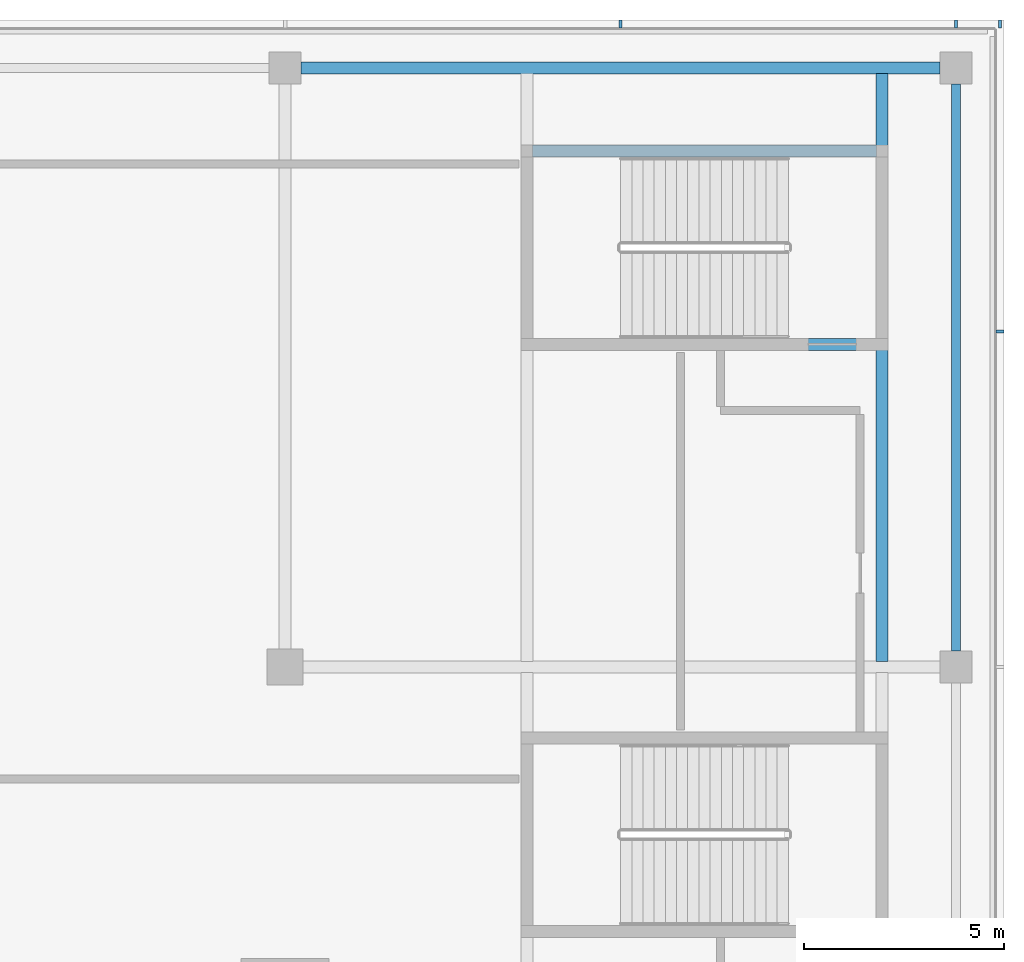
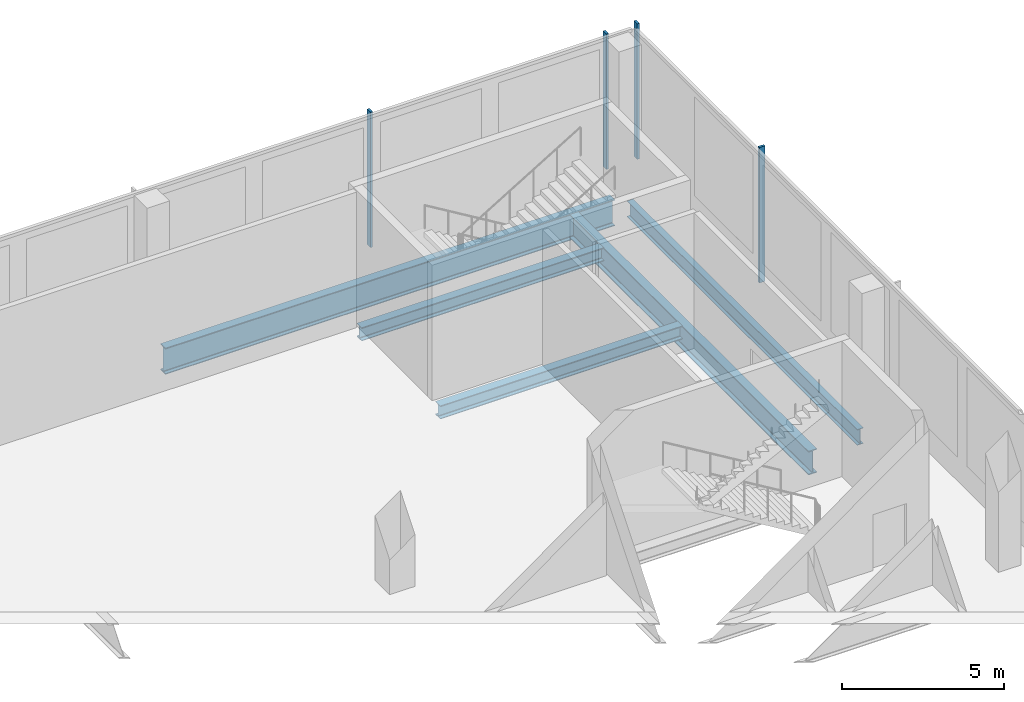
# One storey, part 21 of 39: 5 beams, 4 members, 2 elements without a shape of their own.
"""IFC4 building model written with IfcOpenShell, lengths in metres."""

from ifc_helpers import new_model, si_unit, direction, frame, origin, origin_2d, place, context, subcontext, project, spatial, rectangle, i_section, extrude, material, material_profile, profile_set, type_object, element, aggregate, save


model = new_model("IFC4")

# Units and contexts
model_context = context("Model", 3, precision=1e-05, world=origin(), true_north=direction((0.0, 1.0)))
body_context = subcontext(model_context, "Body", "Model", "MODEL_VIEW")
ifc_project = project(units=[si_unit("LENGTHUNIT", "METRE"), si_unit("AREAUNIT", "SQUARE_METRE"), si_unit("VOLUMEUNIT", "CUBIC_METRE"), si_unit("PLANEANGLEUNIT", "RADIAN"), si_unit("MASSUNIT", "GRAM", prefix="KILO")], contexts=[model_context])

# Site, building, storey
site_placement = place(None, origin())
site = spatial("IfcSite", under=ifc_project, at=site_placement, CompositionType="ELEMENT")
building_placement = place(site_placement, origin())
building = spatial("IfcBuilding", under=site, at=building_placement, Name="Saffron Gate Tower", CompositionType="ELEMENT")
storey_placement = place(building_placement, frame((0.0, 0.0, 9.0)))
storey = spatial("IfcBuildingStorey", under=building, at=storey_placement, Name="L01", CompositionType="ELEMENT", Elevation=9.0)

# Beams
ifc_material_1 = material(Name="Structural steel S355", Category="steel")
ifc_material_profile_1 = material_profile(ifc_material_1, i_section(OverallWidth=0.219970703125, OverallDepth=0.60009765625, WebThickness=0.011962890625, FlangeThickness=0.01904296875, FilletRadius=0.02392578125, at=origin_2d()))
ifc_profile_set_1 = profile_set([ifc_material_profile_1], Name="Structural steel S355")
beam_type_1 = type_object("IfcBeamType", Name="B15 IPE 600", PredefinedType="BEAM", material=ifc_profile_set_1)
beam_1_placement = place(storey_placement, frame((142.199951171875, 74.199951171875, -0.60009765625), z_axis=(0.0, 1.0, 0.0), x_axis=(-1.0, 0.0, 0.0)))
element("IfcBeam", 1, at=beam_1_placement, inside=storey, type_object=beam_type_1, Name="B15 PODIUM EDGE BEAM", PredefinedType="BEAM", context=body_context, shape_type="SweptSolid", body=[
    extrude(i_section(OverallWidth=0.219970703125, OverallDepth=0.60009765625, WebThickness=0.011962890625, FlangeThickness=0.01904296875, FilletRadius=0.02392578125, at=origin_2d()), origin(), (0.0, 0.0, 1.0), 14.199951171875),
])
ifc_material_profile_2 = material_profile(ifc_material_1, i_section(OverallWidth=0.300048828125, OverallDepth=0.89990234375, WebThickness=0.0185546875, FlangeThickness=0.034912109375, FilletRadius=0.030029296875, at=origin_2d()))
ifc_profile_set_2 = profile_set([ifc_material_profile_2], Name="Structural steel S355")
beam_type_2 = type_object("IfcBeamType", Name="B20 HEB 900", PredefinedType="BEAM", material=ifc_profile_set_2)
beam_2_placement = place(storey_placement, frame((140.35009765625, 73.93994140625, -0.75), z_axis=(0.0, 1.0, 0.0), x_axis=(-1.0, 0.0, 0.0)))
element("IfcBeam", 2, at=beam_2_placement, inside=storey, type_object=beam_type_2, Name="B20 STAIR ENCLOSURE HEADER BEAM", PredefinedType="BEAM", context=body_context, shape_type="SweptSolid", body=[
    extrude(i_section(OverallWidth=0.300048828125, OverallDepth=0.89990234375, WebThickness=0.0185546875, FlangeThickness=0.034912109375, FilletRadius=0.030029296875, at=origin_2d()), origin(), (0.0, 0.0, 1.0), 14.719970703125),
])
ifc_material_profile_3 = material_profile(ifc_material_1, i_section(OverallWidth=0.300048828125, OverallDepth=0.989990234375, WebThickness=0.0166015625, FlangeThickness=0.031005859375, FilletRadius=0.030029296875, at=origin_2d()))
ifc_profile_set_3 = profile_set([ifc_material_profile_3], Name="Structural steel S355")
beam_type_3 = type_object("IfcBeamType", Name="B21 HEA 1000", PredefinedType="BEAM", material=ifc_profile_set_3)
beam_3_placement = place(storey_placement, frame((125.800048828125, 88.800048828125, -0.794921875), z_axis=(1.0, 0.0, 0.0), x_axis=(0.0, 1.0, 0.0)))
element("IfcBeam", 3, at=beam_3_placement, inside=storey, type_object=beam_type_3, Name="B21 PODIUM EDGE BEAM", PredefinedType="BEAM", context=body_context, shape_type="SweptSolid", body=[
    extrude(i_section(OverallWidth=0.300048828125, OverallDepth=0.989990234375, WebThickness=0.0166015625, FlangeThickness=0.031005859375, FilletRadius=0.030029296875, at=origin_2d()), origin(), (0.0, 0.0, 1.0), 16.0),
])
ifc_material_profile_4 = material_profile(ifc_material_1, i_section(OverallWidth=0.300048828125, OverallDepth=0.5, WebThickness=0.014404296875, FlangeThickness=0.028076171875, FilletRadius=0.027099609375, at=origin_2d()))
ifc_profile_set_4 = profile_set([ifc_material_profile_4], Name="Structural steel S355")
beam_type_4 = type_object("IfcBeamType", Name="B9 HEB 500", PredefinedType="BEAM", material=ifc_profile_set_4)
for number, where, z_axis, x_axis, name in (
    (4, (131.590087890625, 81.875, -0.550048828125), (1.0, 0.0, 0.0), (0.0, 1.0, 0.0), "B9 STAIR ENCLOSURE TRIMMER BEAM"),
    (5, (131.590087890625, 86.72509765625, -0.550048828125), (1.0, 0.0, 0.0), (0.0, 1.0, 0.0), "B9 STAIR ENCLOSURE TRIMMER BEAM"),
):
    element("IfcBeam", number, at=place(storey_placement, frame(where, z_axis=z_axis, x_axis=x_axis)), inside=storey, type_object=beam_type_4, Name=name, PredefinedType="BEAM", context=body_context, shape_type="SweptSolid", body=[
        extrude(i_section(OverallWidth=0.300048828125, OverallDepth=0.5, WebThickness=0.014404296875, FlangeThickness=0.028076171875, FilletRadius=0.027099609375, at=origin_2d()), origin(), (0.0, 0.0, 1.0), 8.619873046875),
    ])

# Curtain wall, member
ifc_material_2 = material(Name="Aluminium, bronze anodised", Category="aluminium")
curtain_wall_type = type_object("IfcCurtainWallType", Name="CWS5 curtain wall podium ring base", PredefinedType="NOTDEFINED", material=ifc_material_2)
curtain_wall_1_placement = place(storey_placement, origin())
curtain_wall_1 = element("IfcCurtainWall", 6, at=curtain_wall_1_placement, inside=storey, type_object=curtain_wall_type, Name="CWS5 run 2", PredefinedType="NOTDEFINED")
ifc_material_profile_5 = material_profile(ifc_material_2, rectangle(XDim=0.199951171875, YDim=0.080078125, at=origin_2d()))
ifc_profile_set_5 = profile_set([ifc_material_profile_5], Name="Aluminium, bronze anodised")
member_type = type_object("IfcMemberType", Name="CWS5 mullion 80x200", PredefinedType="MULLION", material=ifc_profile_set_5)
member_1_placement = place(storey_placement, frame((143.300048828125, 82.199951171875, 0.0), z_axis=(0.0, 0.0, 1.0), x_axis=(-1.0, 0.0, 0.0)))
member_1 = element("IfcMember", 7, at=member_1_placement, type_object=member_type, Name="CWS5 mullion 9", PredefinedType="MULLION", context=body_context, shape_type="SweptSolid", body=[
    extrude(rectangle(XDim=0.199951171875, YDim=0.080078125, at=origin_2d()), origin(), (0.0, 0.0, 1.0), 5.10009765625),
])
aggregate(curtain_wall_1, [member_1])

# Curtain wall, members
curtain_wall_2_placement = place(storey_placement, origin())
curtain_wall_2 = element("IfcCurtainWall", 8, at=curtain_wall_2_placement, inside=storey, type_object=curtain_wall_type, Name="CWS5 run 3", PredefinedType="NOTDEFINED")
member_2_placement = place(storey_placement, frame((143.300048828125, 89.89990234375, 0.0), z_axis=(0.0, 0.0, 1.0), x_axis=(0.0, -1.0, 0.0)))
member_2 = element("IfcMember", 9, at=member_2_placement, type_object=member_type, Name="CWS5 mullion 1", PredefinedType="MULLION", context=body_context, shape_type="SweptSolid", body=[
    extrude(rectangle(XDim=0.199951171875, YDim=0.080078125, at=origin_2d()), origin(), (0.0, 0.0, 1.0), 5.10009765625),
])
member_3_placement = place(storey_placement, frame((142.199951171875, 89.89990234375, 0.0), z_axis=(0.0, 0.0, 1.0), x_axis=(0.0, -1.0, 0.0)))
member_3 = element("IfcMember", 10, at=member_3_placement, type_object=member_type, Name="CWS5 mullion 2", PredefinedType="MULLION", context=body_context, shape_type="SweptSolid", body=[
    extrude(rectangle(XDim=0.199951171875, YDim=0.080078125, at=origin_2d()), origin(), (0.0, 0.0, 1.0), 5.10009765625),
])
member_4_placement = place(storey_placement, frame((133.800048828125, 89.89990234375, 0.0), z_axis=(0.0, 0.0, 1.0), x_axis=(0.0, -1.0, 0.0)))
member_4 = element("IfcMember", 11, at=member_4_placement, type_object=member_type, Name="CWS5 mullion 3", PredefinedType="MULLION", context=body_context, shape_type="SweptSolid", body=[
    extrude(rectangle(XDim=0.199951171875, YDim=0.080078125, at=origin_2d()), origin(), (0.0, 0.0, 1.0), 5.10009765625),
])
aggregate(curtain_wall_2, [member_2, member_3, member_4])

save(model, "model.ifc")
